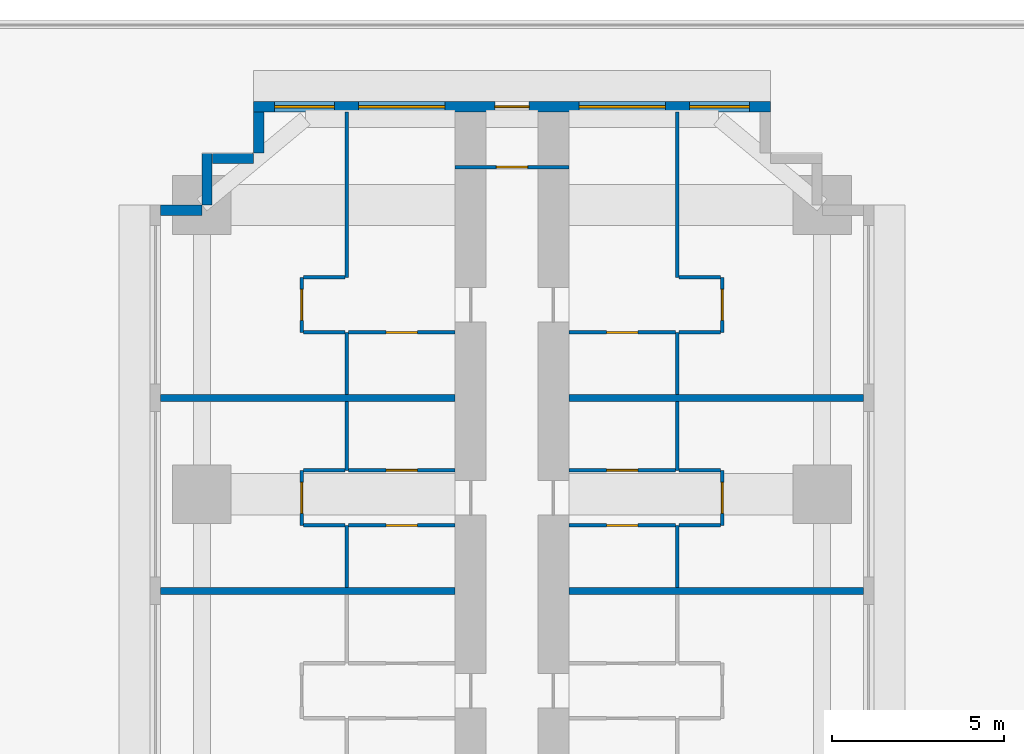
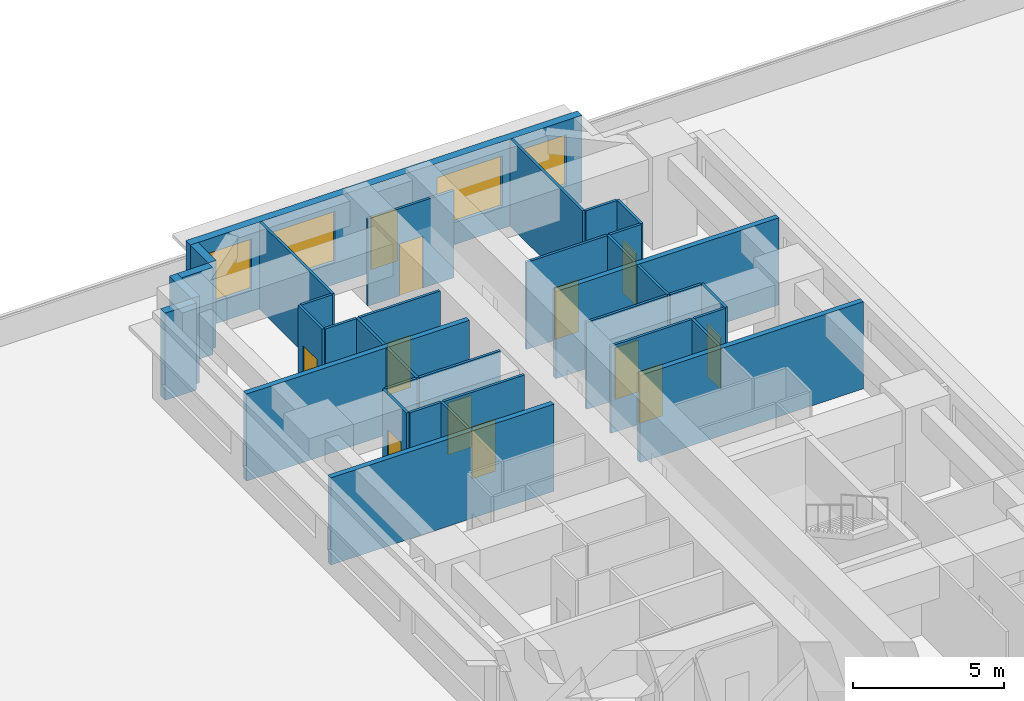
# One storey, part 14 of 18: 36 walls, 12 doors, 4 windows, 16 openings.
"""IFC4 building model written with IfcOpenShell, lengths in metres."""

from ifc_helpers import new_model, si_unit, direction, frame, frame_2d, origin, place, context, subcontext, project, spatial, rectangle, extrude, material, layer, layer_set, type_object, element, fill, save


model = new_model("IFC4")

# Units and contexts
model_context = context("Model", 3, precision=1e-05, world=origin(), true_north=direction((0.0, 1.0)))
body_context = subcontext(model_context, "Body", "Model", "MODEL_VIEW")
ifc_project = project(units=[si_unit("LENGTHUNIT", "METRE"), si_unit("AREAUNIT", "SQUARE_METRE"), si_unit("VOLUMEUNIT", "CUBIC_METRE"), si_unit("PLANEANGLEUNIT", "RADIAN"), si_unit("MASSUNIT", "GRAM", prefix="KILO")], contexts=[model_context])

# Site, building, storey
site_placement = place(None, origin())
site = spatial("IfcSite", under=ifc_project, at=site_placement, CompositionType="ELEMENT")
building_placement = place(site_placement, origin())
building = spatial("IfcBuilding", under=site, at=building_placement, Name="Impinga Residences", CompositionType="ELEMENT")
storey_placement = place(building_placement, frame((0.0, 0.0, 26.0)))
storey = spatial("IfcBuildingStorey", under=building, at=storey_placement, Name="L05", CompositionType="ELEMENT", Elevation=26.0)

# Wall, opening, door
ifc_material_1 = material(Name="Concrete blockwork", Category="masonry")
ifc_layer_1 = layer(ifc_material_1, 0.10009765625)
ifc_layer_set_1 = layer_set([ifc_layer_1], Name="CP1 core room partition, blockwork 100")
wall_type_1 = type_object("IfcWallType", Name="CP1 core room partition, blockwork 100", PredefinedType="PARTITIONING", material=ifc_layer_set_1)
wall_1_placement = place(storey_placement, frame((-1.64990234375, 46.131591796875, 0.0), z_axis=(0.0, 0.0, 1.0), x_axis=(1.0, 0.0, 0.0)))
wall_1 = element("IfcWall", 1, at=wall_1_placement, inside=storey, type_object=wall_type_1, Name="Core room partition, blockwork L05:N:RFA", PredefinedType="PARTITIONING", context=body_context, shape_type="SweptSolid", body=[
    extrude(rectangle(XDim=3.2998046875, YDim=0.10009765625, at=frame_2d((1.64990234375, 0.0))), origin(), (0.0, 0.0, 1.0), 3.530029296875),
])
opening_1_placement = place(wall_1_placement, frame((1.199951171875, 0.0, 0.0)))
opening_1 = element("IfcOpeningElement", 2, at=opening_1_placement, cuts=wall_1, Name="Opening D6", PredefinedType="OPENING", context=body_context, shape_type="SweptSolid", body=[
    extrude(rectangle(XDim=0.89990234375, YDim=2.10009765625, at=frame_2d((0.449951171875, 1.050048828125))), frame((0.0, 0.06005859375, 0.0), z_axis=(0.0, -1.0, 0.0), x_axis=(1.0, 0.0, 0.0)), (0.0, 0.0, 1.0), 0.1201171875),
])
ifc_material_2 = material(Name="Timber door set", Category="wood")
door_type_1 = type_object("IfcDoorType", Name="D6 riser and store door 900x2100", OperationType="SINGLE_SWING_LEFT", PredefinedType="DOOR", material=ifc_material_2)
door_1_placement = place(opening_1_placement, origin())
door_1 = element("IfcDoor", 3, at=door_1_placement, inside=storey, type_object=door_type_1, Name="Roof access room door N", OperationType="SINGLE_SWING_LEFT", OverallHeight=2.10009765625, OverallWidth=0.89990234375, PredefinedType="DOOR", context=body_context, shape_type="SweptSolid", body=[
    extrude(rectangle(XDim=0.89990234375, YDim=2.10009765625, at=frame_2d((0.449951171875, 1.050048828125))), frame((0.0, 0.02490234375, 0.0), z_axis=(0.0, -1.0, 0.0), x_axis=(1.0, 0.0, 0.0)), (0.0, 0.0, 1.0), 0.050048828125),
])
fill(opening_1, door_1)

# Walls
ifc_material_3 = material(Name="Terracotta rainscreen on blockwork", Category="masonry")
ifc_layer_2 = layer(ifc_material_3, 0.300048828125)
ifc_layer_set_2 = layer_set([ifc_layer_2], Name="EW1 external wall, terracotta rainscreen on blockwork 300")
wall_type_2 = type_object("IfcWallType", Name="EW1 external wall, terracotta rainscreen on blockwork 300", PredefinedType="SOLIDWALL", material=ifc_layer_set_2)
wall_2_placement = place(storey_placement, frame((-10.199951171875, 44.881591796875, 0.0), z_axis=(0.0, 0.0, 1.0), x_axis=(1.0, 0.0, 0.0)))
element("IfcWall", 4, at=wall_2_placement, inside=storey, type_object=wall_type_2, Name="External wall EW1 L05", PredefinedType="SOLIDWALL", context=body_context, shape_type="SweptSolid", body=[
    extrude(rectangle(XDim=1.199951171875, YDim=0.300048828125, at=frame_2d((0.60009765625, 0.0))), origin(), (0.0, 0.0, 1.0), 3.530029296875),
])
wall_3_placement = place(storey_placement, frame((-8.85009765625, 45.03662109375, 0.0), z_axis=(0.0, 0.0, 1.0), x_axis=(0.0, 1.0, 0.0)))
element("IfcWall", 5, at=wall_3_placement, inside=storey, type_object=wall_type_2, Name="External wall EW1 L05", PredefinedType="SOLIDWALL", context=body_context, shape_type="SweptSolid", body=[
    extrude(rectangle(XDim=1.494873046875, YDim=0.300048828125, at=frame_2d((0.74755859375, 0.0))), origin(), (0.0, 0.0, 1.0), 3.530029296875),
])
wall_4_placement = place(storey_placement, frame((-8.699951171875, 46.381591796875, 0.0), z_axis=(0.0, 0.0, 1.0), x_axis=(1.0, 0.0, 0.0)))
element("IfcWall", 6, at=wall_4_placement, inside=storey, type_object=wall_type_2, Name="External wall EW1 L05", PredefinedType="SOLIDWALL", context=body_context, shape_type="SweptSolid", body=[
    extrude(rectangle(XDim=1.199951171875, YDim=0.300048828125, at=frame_2d((0.60009765625, 0.0))), origin(), (0.0, 0.0, 1.0), 3.530029296875),
])
wall_5_placement = place(storey_placement, frame((-7.35009765625, 46.53662109375, 0.0), z_axis=(0.0, 0.0, 1.0), x_axis=(0.0, 1.0, 0.0)))
element("IfcWall", 7, at=wall_5_placement, inside=storey, type_object=wall_type_2, Name="External wall EW1 L05", PredefinedType="SOLIDWALL", context=body_context, shape_type="SweptSolid", body=[
    extrude(rectangle(XDim=1.19482421875, YDim=0.300048828125, at=frame_2d((0.597412109375, 0.0))), origin(), (0.0, 0.0, 1.0), 3.530029296875),
])

# Wall, openings, door, windows
wall_6_placement = place(storey_placement, frame((-7.5, 47.881591796875, 0.0), z_axis=(0.0, 0.0, 1.0), x_axis=(1.0, 0.0, 0.0)))
wall_6 = element("IfcWall", 8, at=wall_6_placement, inside=storey, type_object=wall_type_2, Name="External wall EW1 L05", PredefinedType="SOLIDWALL", context=body_context, shape_type="SweptSolid", body=[
    extrude(rectangle(XDim=15.0, YDim=0.300048828125, at=frame_2d((7.5, 0.0))), origin(), (0.0, 0.0, 1.0), 3.530029296875),
])
opening_2_placement = place(wall_6_placement, frame((7.0, 0.0, 0.0)))
opening_2 = element("IfcOpeningElement", 9, at=opening_2_placement, cuts=wall_6, Name="Opening RD1", PredefinedType="OPENING", context=body_context, shape_type="SweptSolid", body=[
    extrude(rectangle(XDim=1.0, YDim=2.10009765625, at=frame_2d((0.5, 1.050048828125))), frame((0.0, 0.159912109375, 0.0), z_axis=(0.0, -1.0, 0.0), x_axis=(1.0, 0.0, 0.0)), (0.0, 0.0, 1.0), 0.320068359375),
])
opening_3_placement = place(wall_6_placement, frame((0.60009765625, 0.0, 0.89990234375)))
opening_3 = element("IfcOpeningElement", 10, at=opening_3_placement, cuts=wall_6, Name="Opening W1", PredefinedType="OPENING", context=body_context, shape_type="SweptSolid", body=[
    extrude(rectangle(XDim=1.75, YDim=2.050048828125, at=frame_2d((0.875, 1.02490234375))), frame((0.0, 0.159912109375, 0.0), z_axis=(0.0, -1.0, 0.0), x_axis=(1.0, 0.0, 0.0)), (0.0, 0.0, 1.0), 0.320068359375),
])
opening_4_placement = place(wall_6_placement, frame((3.050048828125, 0.0, 0.89990234375)))
opening_4 = element("IfcOpeningElement", 11, at=opening_4_placement, cuts=wall_6, Name="Opening W2", PredefinedType="OPENING", context=body_context, shape_type="SweptSolid", body=[
    extrude(rectangle(XDim=2.5, YDim=2.050048828125, at=frame_2d((1.25, 1.02490234375))), frame((0.0, 0.159912109375, 0.0), z_axis=(0.0, -1.0, 0.0), x_axis=(1.0, 0.0, 0.0)), (0.0, 0.0, 1.0), 0.320068359375),
])
opening_5_placement = place(wall_6_placement, frame((9.449951171875, 0.0, 0.89990234375)))
opening_5 = element("IfcOpeningElement", 12, at=opening_5_placement, cuts=wall_6, Name="Opening W2", PredefinedType="OPENING", context=body_context, shape_type="SweptSolid", body=[
    extrude(rectangle(XDim=2.5, YDim=2.050048828125, at=frame_2d((1.25, 1.02490234375))), frame((0.0, 0.159912109375, 0.0), z_axis=(0.0, -1.0, 0.0), x_axis=(1.0, 0.0, 0.0)), (0.0, 0.0, 1.0), 0.320068359375),
])
opening_6_placement = place(wall_6_placement, frame((12.64990234375, 0.0, 0.89990234375)))
opening_6 = element("IfcOpeningElement", 13, at=opening_6_placement, cuts=wall_6, Name="Opening W1", PredefinedType="OPENING", context=body_context, shape_type="SweptSolid", body=[
    extrude(rectangle(XDim=1.75, YDim=2.050048828125, at=frame_2d((0.875, 1.02490234375))), frame((0.0, 0.159912109375, 0.0), z_axis=(0.0, -1.0, 0.0), x_axis=(1.0, 0.0, 0.0)), (0.0, 0.0, 1.0), 0.320068359375),
])
ifc_material_4 = material(Name="Steel door, painted", Category="steel")
door_type_2 = type_object("IfcDoorType", Name="RD1 maintenance roof access door 1000x2100", OperationType="SINGLE_SWING_LEFT", PredefinedType="DOOR", material=ifc_material_4)
door_2_placement = place(opening_2_placement, origin())
door_2 = element("IfcDoor", 14, at=door_2_placement, inside=storey, type_object=door_type_2, Name="Maintenance roof access door L05", OperationType="SINGLE_SWING_LEFT", OverallHeight=2.10009765625, OverallWidth=1.0, PredefinedType="DOOR", context=body_context, shape_type="SweptSolid", body=[
    extrude(rectangle(XDim=1.0, YDim=2.10009765625, at=frame_2d((0.5, 1.050048828125))), frame((0.0, 0.02490234375, 0.0), z_axis=(0.0, -1.0, 0.0), x_axis=(1.0, 0.0, 0.0)), (0.0, 0.0, 1.0), 0.050048828125),
])
fill(opening_2, door_2)
ifc_material_5 = material(Name="Aluminium window, clear double glazing", Category="aluminium")
window_type_1 = type_object("IfcWindowType", Name="W1 ribbon window 1750x2050", PartitioningType="SINGLE_PANEL", PredefinedType="WINDOW", material=ifc_material_5)
window_1_placement = place(opening_3_placement, origin())
window_1 = element("IfcWindow", 15, at=window_1_placement, inside=storey, type_object=window_type_1, Name="Window L05", OverallHeight=2.050048828125, OverallWidth=1.75, PartitioningType="SINGLE_PANEL", PredefinedType="WINDOW", context=body_context, shape_type="SweptSolid", body=[
    extrude(rectangle(XDim=1.75, YDim=2.050048828125, at=frame_2d((0.875, 1.02490234375))), frame((0.0, 0.030029296875, 0.0), z_axis=(0.0, -1.0, 0.0), x_axis=(1.0, 0.0, 0.0)), (0.0, 0.0, 1.0), 0.06005859375),
])
fill(opening_3, window_1)
window_2_placement = place(opening_6_placement, origin())
window_2 = element("IfcWindow", 16, at=window_2_placement, inside=storey, type_object=window_type_1, Name="Window L05", OverallHeight=2.050048828125, OverallWidth=1.75, PartitioningType="SINGLE_PANEL", PredefinedType="WINDOW", context=body_context, shape_type="SweptSolid", body=[
    extrude(rectangle(XDim=1.75, YDim=2.050048828125, at=frame_2d((0.875, 1.02490234375))), frame((0.0, 0.030029296875, 0.0), z_axis=(0.0, -1.0, 0.0), x_axis=(1.0, 0.0, 0.0)), (0.0, 0.0, 1.0), 0.06005859375),
])
fill(opening_6, window_2)
window_type_2 = type_object("IfcWindowType", Name="W2 ribbon window 2500x2050", PartitioningType="SINGLE_PANEL", PredefinedType="WINDOW", material=ifc_material_5)
window_3_placement = place(opening_4_placement, origin())
window_3 = element("IfcWindow", 17, at=window_3_placement, inside=storey, type_object=window_type_2, Name="Window L05", OverallHeight=2.050048828125, OverallWidth=2.5, PartitioningType="SINGLE_PANEL", PredefinedType="WINDOW", context=body_context, shape_type="SweptSolid", body=[
    extrude(rectangle(XDim=2.5, YDim=2.050048828125, at=frame_2d((1.25, 1.02490234375))), frame((0.0, 0.030029296875, 0.0), z_axis=(0.0, -1.0, 0.0), x_axis=(1.0, 0.0, 0.0)), (0.0, 0.0, 1.0), 0.06005859375),
])
fill(opening_4, window_3)
window_4_placement = place(opening_5_placement, origin())
window_4 = element("IfcWindow", 18, at=window_4_placement, inside=storey, type_object=window_type_2, Name="Window L05", OverallHeight=2.050048828125, OverallWidth=2.5, PartitioningType="SINGLE_PANEL", PredefinedType="WINDOW", context=body_context, shape_type="SweptSolid", body=[
    extrude(rectangle(XDim=2.5, YDim=2.050048828125, at=frame_2d((1.25, 1.02490234375))), frame((0.0, 0.030029296875, 0.0), z_axis=(0.0, -1.0, 0.0), x_axis=(1.0, 0.0, 0.0)), (0.0, 0.0, 1.0), 0.06005859375),
])
fill(opening_5, window_4)

# Walls
ifc_material_6 = material(Name="Gypsum board on steel studs", Category="steel")
ifc_layer_3 = layer(ifc_material_6, 0.10009765625)
ifc_layer_set_3 = layer_set([ifc_layer_3], Name="Gypsum board on steel studs")
wall_type_3 = type_object("IfcWallType", Name="IP1 partition 100", PredefinedType="PARTITIONING", material=ifc_layer_set_3)
wall_7_placement = place(storey_placement, frame((-4.800048828125, 33.931640625, 0.0), z_axis=(0.0, 0.0, 1.0), x_axis=(0.0, 1.0, 0.0)))
element("IfcWall", 19, at=wall_7_placement, inside=storey, type_object=wall_type_3, Name="Partition L05-NA5:DIV0", PredefinedType="PARTITIONING", context=body_context, shape_type="SweptSolid", body=[
    extrude(rectangle(XDim=1.7998046875, YDim=0.10009765625, at=frame_2d((0.89990234375, 0.0))), origin(), (0.0, 0.0, 1.0), 3.530029296875),
])
wall_8_placement = place(storey_placement, frame((-4.800048828125, 37.33154296875, 0.0), z_axis=(0.0, 0.0, 1.0), x_axis=(0.0, 1.0, 0.0)))
element("IfcWall", 20, at=wall_8_placement, inside=storey, type_object=wall_type_3, Name="Partition L05-NA5:DIV1", PredefinedType="PARTITIONING", context=body_context, shape_type="SweptSolid", body=[
    extrude(rectangle(XDim=2.0, YDim=0.10009765625, at=frame_2d((1.0, 0.0))), origin(), (0.0, 0.0, 1.0), 3.530029296875),
])

# Wall, opening, door
wall_9_placement = place(storey_placement, frame((-6.10009765625, 35.7314453125, 0.0), z_axis=(0.0, 0.0, 1.0), x_axis=(0.0, 1.0, 0.0)))
wall_9 = element("IfcWall", 21, at=wall_9_placement, inside=storey, type_object=wall_type_3, Name="Partition L05-NA5:STRIP", PredefinedType="PARTITIONING", context=body_context, shape_type="SweptSolid", body=[
    extrude(rectangle(XDim=1.60009765625, YDim=0.10009765625, at=frame_2d((0.800048828125, 0.0))), origin(), (0.0, 0.0, 1.0), 3.530029296875),
])
opening_7_placement = place(wall_9_placement, frame((0.35009765625, 0.0, 0.0)))
opening_7 = element("IfcOpeningElement", 22, at=opening_7_placement, cuts=wall_9, Name="Opening D2", PredefinedType="OPENING", context=body_context, shape_type="SweptSolid", body=[
    extrude(rectangle(XDim=0.89990234375, YDim=2.10009765625, at=frame_2d((0.449951171875, 1.050048828125))), frame((0.0, 0.06005859375, 0.0), z_axis=(0.0, -1.0, 0.0), x_axis=(1.0, 0.0, 0.0)), (0.0, 0.0, 1.0), 0.1201171875),
])
door_type_3 = type_object("IfcDoorType", Name="D2 internal door 900x2100", OperationType="SINGLE_SWING_LEFT", PredefinedType="DOOR", material=ifc_material_2)
door_3_placement = place(opening_7_placement, origin())
door_3 = element("IfcDoor", 23, at=door_3_placement, inside=storey, type_object=door_type_3, Name="Apartment L05-NA5 room door", OperationType="SINGLE_SWING_LEFT", OverallHeight=2.10009765625, OverallWidth=0.89990234375, PredefinedType="DOOR", context=body_context, shape_type="SweptSolid", body=[
    extrude(rectangle(XDim=0.89990234375, YDim=2.10009765625, at=frame_2d((0.449951171875, 1.050048828125))), frame((0.0, 0.02490234375, 0.0), z_axis=(0.0, -1.0, 0.0), x_axis=(1.0, 0.0, 0.0)), (0.0, 0.0, 1.0), 0.050048828125),
])
fill(opening_7, door_3)

# Walls
for number, where, z_axis, x_axis, name in (
    (24, (-4.85009765625, 35.7314453125, 0.0), (0.0, 0.0, 1.0), (-1.0, 0.0, 0.0), "Partition L05-NA5:SE0"),
    (25, (-4.85009765625, 37.33154296875, 0.0), (0.0, 0.0, 1.0), (-1.0, 0.0, 0.0), "Partition L05-NA5:SE1"),
):
    element("IfcWall", number, at=place(storey_placement, frame(where, z_axis=z_axis, x_axis=x_axis)), inside=storey, type_object=wall_type_3, Name=name, PredefinedType="PARTITIONING", context=body_context, shape_type="SweptSolid", body=[
        extrude(rectangle(XDim=1.199951171875, YDim=0.10009765625, at=frame_2d((0.60009765625, 0.0))), origin(), (0.0, 0.0, 1.0), 3.530029296875),
    ])

# Wall, opening, door
wall_10_placement = place(storey_placement, frame((-1.64990234375, 35.7314453125, 0.0), z_axis=(0.0, 0.0, 1.0), x_axis=(-1.0, 0.0, 0.0)))
wall_10 = element("IfcWall", 26, at=wall_10_placement, inside=storey, type_object=wall_type_3, Name="Partition L05-NA5:IB1", PredefinedType="PARTITIONING", context=body_context, shape_type="SweptSolid", body=[
    extrude(rectangle(XDim=3.10009765625, YDim=0.10009765625, at=frame_2d((1.550048828125, 0.0))), origin(), (0.0, 0.0, 1.0), 3.530029296875),
])
opening_8_placement = place(wall_10_placement, frame((1.10009765625, 0.0, 0.0)))
opening_8 = element("IfcOpeningElement", 27, at=opening_8_placement, cuts=wall_10, Name="Opening D2", PredefinedType="OPENING", context=body_context, shape_type="SweptSolid", body=[
    extrude(rectangle(XDim=0.89990234375, YDim=2.10009765625, at=frame_2d((0.449951171875, 1.050048828125))), frame((0.0, 0.06005859375, 0.0), z_axis=(0.0, -1.0, 0.0), x_axis=(1.0, 0.0, 0.0)), (0.0, 0.0, 1.0), 0.1201171875),
])
door_4_placement = place(opening_8_placement, origin())
door_4 = element("IfcDoor", 28, at=door_4_placement, inside=storey, type_object=door_type_3, Name="Apartment L05-NA5 bathroom door", OperationType="SINGLE_SWING_LEFT", OverallHeight=2.10009765625, OverallWidth=0.89990234375, PredefinedType="DOOR", context=body_context, shape_type="SweptSolid", body=[
    extrude(rectangle(XDim=0.89990234375, YDim=2.10009765625, at=frame_2d((0.449951171875, 1.050048828125))), frame((0.0, 0.02490234375, 0.0), z_axis=(0.0, -1.0, 0.0), x_axis=(1.0, 0.0, 0.0)), (0.0, 0.0, 1.0), 0.050048828125),
])
fill(opening_8, door_4)

wall_11_placement = place(storey_placement, frame((-1.64990234375, 37.33154296875, 0.0), z_axis=(0.0, 0.0, 1.0), x_axis=(-1.0, 0.0, 0.0)))
wall_11 = element("IfcWall", 29, at=wall_11_placement, inside=storey, type_object=wall_type_3, Name="Partition L05-NA5:IB2", PredefinedType="PARTITIONING", context=body_context, shape_type="SweptSolid", body=[
    extrude(rectangle(XDim=3.10009765625, YDim=0.10009765625, at=frame_2d((1.550048828125, 0.0))), origin(), (0.0, 0.0, 1.0), 3.530029296875),
])
opening_9_placement = place(wall_11_placement, frame((1.10009765625, 0.0, 0.0)))
opening_9 = element("IfcOpeningElement", 30, at=opening_9_placement, cuts=wall_11, Name="Opening D2", PredefinedType="OPENING", context=body_context, shape_type="SweptSolid", body=[
    extrude(rectangle(XDim=0.89990234375, YDim=2.10009765625, at=frame_2d((0.449951171875, 1.050048828125))), frame((0.0, 0.06005859375, 0.0), z_axis=(0.0, -1.0, 0.0), x_axis=(1.0, 0.0, 0.0)), (0.0, 0.0, 1.0), 0.1201171875),
])
door_5_placement = place(opening_9_placement, origin())
door_5 = element("IfcDoor", 31, at=door_5_placement, inside=storey, type_object=door_type_3, Name="Apartment L05-NA5 WC door", OperationType="SINGLE_SWING_LEFT", OverallHeight=2.10009765625, OverallWidth=0.89990234375, PredefinedType="DOOR", context=body_context, shape_type="SweptSolid", body=[
    extrude(rectangle(XDim=0.89990234375, YDim=2.10009765625, at=frame_2d((0.449951171875, 1.050048828125))), frame((0.0, 0.02490234375, 0.0), z_axis=(0.0, -1.0, 0.0), x_axis=(1.0, 0.0, 0.0)), (0.0, 0.0, 1.0), 0.050048828125),
])
fill(opening_9, door_5)

# Walls
wall_12_placement = place(storey_placement, frame((-4.800048828125, 39.531494140625, 0.0), z_axis=(0.0, 0.0, 1.0), x_axis=(0.0, 1.0, 0.0)))
element("IfcWall", 32, at=wall_12_placement, inside=storey, type_object=wall_type_3, Name="Partition L05-NA6:DIV0", PredefinedType="PARTITIONING", context=body_context, shape_type="SweptSolid", body=[
    extrude(rectangle(XDim=1.800048828125, YDim=0.10009765625, at=frame_2d((0.89990234375, 0.0))), origin(), (0.0, 0.0, 1.0), 3.530029296875),
])
wall_13_placement = place(storey_placement, frame((-4.800048828125, 42.931640625, 0.0), z_axis=(0.0, 0.0, 1.0), x_axis=(0.0, 1.0, 0.0)))
element("IfcWall", 33, at=wall_13_placement, inside=storey, type_object=wall_type_3, Name="Partition L05-NA6:DIV1", PredefinedType="PARTITIONING", context=body_context, shape_type="SweptSolid", body=[
    extrude(rectangle(XDim=4.7998046875, YDim=0.10009765625, at=frame_2d((2.39990234375, 0.0))), origin(), (0.0, 0.0, 1.0), 3.530029296875),
])

# Wall, opening, door
wall_14_placement = place(storey_placement, frame((-6.10009765625, 41.33154296875, 0.0), z_axis=(0.0, 0.0, 1.0), x_axis=(0.0, 1.0, 0.0)))
wall_14 = element("IfcWall", 34, at=wall_14_placement, inside=storey, type_object=wall_type_3, Name="Partition L05-NA6:STRIP", PredefinedType="PARTITIONING", context=body_context, shape_type="SweptSolid", body=[
    extrude(rectangle(XDim=1.60009765625, YDim=0.10009765625, at=frame_2d((0.800048828125, 0.0))), origin(), (0.0, 0.0, 1.0), 3.530029296875),
])
opening_10_placement = place(wall_14_placement, frame((0.35009765625, 0.0, 0.0)))
opening_10 = element("IfcOpeningElement", 35, at=opening_10_placement, cuts=wall_14, Name="Opening D2", PredefinedType="OPENING", context=body_context, shape_type="SweptSolid", body=[
    extrude(rectangle(XDim=0.89990234375, YDim=2.10009765625, at=frame_2d((0.449951171875, 1.050048828125))), frame((0.0, 0.06005859375, 0.0), z_axis=(0.0, -1.0, 0.0), x_axis=(1.0, 0.0, 0.0)), (0.0, 0.0, 1.0), 0.1201171875),
])
door_6_placement = place(opening_10_placement, origin())
door_6 = element("IfcDoor", 36, at=door_6_placement, inside=storey, type_object=door_type_3, Name="Apartment L05-NA6 room door", OperationType="SINGLE_SWING_LEFT", OverallHeight=2.10009765625, OverallWidth=0.89990234375, PredefinedType="DOOR", context=body_context, shape_type="SweptSolid", body=[
    extrude(rectangle(XDim=0.89990234375, YDim=2.10009765625, at=frame_2d((0.449951171875, 1.050048828125))), frame((0.0, 0.02490234375, 0.0), z_axis=(0.0, -1.0, 0.0), x_axis=(1.0, 0.0, 0.0)), (0.0, 0.0, 1.0), 0.050048828125),
])
fill(opening_10, door_6)

# Walls
for number, where, z_axis, x_axis, name in (
    (37, (-4.85009765625, 41.33154296875, 0.0), (0.0, 0.0, 1.0), (-1.0, 0.0, 0.0), "Partition L05-NA6:SE0"),
    (38, (-4.85009765625, 42.931640625, 0.0), (0.0, 0.0, 1.0), (-1.0, 0.0, 0.0), "Partition L05-NA6:SE1"),
):
    element("IfcWall", number, at=place(storey_placement, frame(where, z_axis=z_axis, x_axis=x_axis)), inside=storey, type_object=wall_type_3, Name=name, PredefinedType="PARTITIONING", context=body_context, shape_type="SweptSolid", body=[
        extrude(rectangle(XDim=1.199951171875, YDim=0.10009765625, at=frame_2d((0.60009765625, 0.0))), origin(), (0.0, 0.0, 1.0), 3.530029296875),
    ])

# Wall, opening, door
wall_15_placement = place(storey_placement, frame((-1.64990234375, 41.33154296875, 0.0), z_axis=(0.0, 0.0, 1.0), x_axis=(-1.0, 0.0, 0.0)))
wall_15 = element("IfcWall", 39, at=wall_15_placement, inside=storey, type_object=wall_type_3, Name="Partition L05-NA6:IB1", PredefinedType="PARTITIONING", context=body_context, shape_type="SweptSolid", body=[
    extrude(rectangle(XDim=3.10009765625, YDim=0.10009765625, at=frame_2d((1.550048828125, 0.0))), origin(), (0.0, 0.0, 1.0), 3.530029296875),
])
opening_11_placement = place(wall_15_placement, frame((1.10009765625, 0.0, 0.0)))
opening_11 = element("IfcOpeningElement", 40, at=opening_11_placement, cuts=wall_15, Name="Opening D2", PredefinedType="OPENING", context=body_context, shape_type="SweptSolid", body=[
    extrude(rectangle(XDim=0.89990234375, YDim=2.10009765625, at=frame_2d((0.449951171875, 1.050048828125))), frame((0.0, 0.06005859375, 0.0), z_axis=(0.0, -1.0, 0.0), x_axis=(1.0, 0.0, 0.0)), (0.0, 0.0, 1.0), 0.1201171875),
])
door_7_placement = place(opening_11_placement, origin())
door_7 = element("IfcDoor", 41, at=door_7_placement, inside=storey, type_object=door_type_3, Name="Apartment L05-NA6 bathroom door", OperationType="SINGLE_SWING_LEFT", OverallHeight=2.10009765625, OverallWidth=0.89990234375, PredefinedType="DOOR", context=body_context, shape_type="SweptSolid", body=[
    extrude(rectangle(XDim=0.89990234375, YDim=2.10009765625, at=frame_2d((0.449951171875, 1.050048828125))), frame((0.0, 0.02490234375, 0.0), z_axis=(0.0, -1.0, 0.0), x_axis=(1.0, 0.0, 0.0)), (0.0, 0.0, 1.0), 0.050048828125),
])
fill(opening_11, door_7)

# Walls
wall_16_placement = place(storey_placement, frame((4.800048828125, 33.931640625, 0.0), z_axis=(0.0, 0.0, 1.0), x_axis=(0.0, 1.0, 0.0)))
element("IfcWall", 42, at=wall_16_placement, inside=storey, type_object=wall_type_3, Name="Partition L05-NF3:DIV0", PredefinedType="PARTITIONING", context=body_context, shape_type="SweptSolid", body=[
    extrude(rectangle(XDim=1.7998046875, YDim=0.10009765625, at=frame_2d((0.89990234375, 0.0))), origin(), (0.0, 0.0, 1.0), 3.530029296875),
])
wall_17_placement = place(storey_placement, frame((4.800048828125, 37.33154296875, 0.0), z_axis=(0.0, 0.0, 1.0), x_axis=(0.0, 1.0, 0.0)))
element("IfcWall", 43, at=wall_17_placement, inside=storey, type_object=wall_type_3, Name="Partition L05-NF3:DIV1", PredefinedType="PARTITIONING", context=body_context, shape_type="SweptSolid", body=[
    extrude(rectangle(XDim=2.0, YDim=0.10009765625, at=frame_2d((1.0, 0.0))), origin(), (0.0, 0.0, 1.0), 3.530029296875),
])

# Wall, opening, door
wall_18_placement = place(storey_placement, frame((6.10009765625, 35.7314453125, 0.0), z_axis=(0.0, 0.0, 1.0), x_axis=(0.0, 1.0, 0.0)))
wall_18 = element("IfcWall", 44, at=wall_18_placement, inside=storey, type_object=wall_type_3, Name="Partition L05-NF3:STRIP", PredefinedType="PARTITIONING", context=body_context, shape_type="SweptSolid", body=[
    extrude(rectangle(XDim=1.60009765625, YDim=0.10009765625, at=frame_2d((0.800048828125, 0.0))), origin(), (0.0, 0.0, 1.0), 3.530029296875),
])
opening_12_placement = place(wall_18_placement, frame((0.35009765625, 0.0, 0.0)))
opening_12 = element("IfcOpeningElement", 45, at=opening_12_placement, cuts=wall_18, Name="Opening D2", PredefinedType="OPENING", context=body_context, shape_type="SweptSolid", body=[
    extrude(rectangle(XDim=0.89990234375, YDim=2.10009765625, at=frame_2d((0.449951171875, 1.050048828125))), frame((0.0, 0.06005859375, 0.0), z_axis=(0.0, -1.0, 0.0), x_axis=(1.0, 0.0, 0.0)), (0.0, 0.0, 1.0), 0.1201171875),
])
door_8_placement = place(opening_12_placement, origin())
door_8 = element("IfcDoor", 46, at=door_8_placement, inside=storey, type_object=door_type_3, Name="Apartment L05-NF3 room door", OperationType="SINGLE_SWING_LEFT", OverallHeight=2.10009765625, OverallWidth=0.89990234375, PredefinedType="DOOR", context=body_context, shape_type="SweptSolid", body=[
    extrude(rectangle(XDim=0.89990234375, YDim=2.10009765625, at=frame_2d((0.449951171875, 1.050048828125))), frame((0.0, 0.02490234375, 0.0), z_axis=(0.0, -1.0, 0.0), x_axis=(1.0, 0.0, 0.0)), (0.0, 0.0, 1.0), 0.050048828125),
])
fill(opening_12, door_8)

# Walls
for number, where, z_axis, x_axis, name in (
    (47, (4.85009765625, 35.7314453125, 0.0), (0.0, 0.0, 1.0), (1.0, 0.0, 0.0), "Partition L05-NF3:SE0"),
    (48, (4.85009765625, 37.33154296875, 0.0), (0.0, 0.0, 1.0), (1.0, 0.0, 0.0), "Partition L05-NF3:SE1"),
):
    element("IfcWall", number, at=place(storey_placement, frame(where, z_axis=z_axis, x_axis=x_axis)), inside=storey, type_object=wall_type_3, Name=name, PredefinedType="PARTITIONING", context=body_context, shape_type="SweptSolid", body=[
        extrude(rectangle(XDim=1.199951171875, YDim=0.10009765625, at=frame_2d((0.60009765625, 0.0))), origin(), (0.0, 0.0, 1.0), 3.530029296875),
    ])

# Wall, opening, door
wall_19_placement = place(storey_placement, frame((1.64990234375, 35.7314453125, 0.0), z_axis=(0.0, 0.0, 1.0), x_axis=(1.0, 0.0, 0.0)))
wall_19 = element("IfcWall", 49, at=wall_19_placement, inside=storey, type_object=wall_type_3, Name="Partition L05-NF3:IB1", PredefinedType="PARTITIONING", context=body_context, shape_type="SweptSolid", body=[
    extrude(rectangle(XDim=3.10009765625, YDim=0.10009765625, at=frame_2d((1.550048828125, 0.0))), origin(), (0.0, 0.0, 1.0), 3.530029296875),
])
opening_13_placement = place(wall_19_placement, frame((1.10009765625, 0.0, 0.0)))
opening_13 = element("IfcOpeningElement", 50, at=opening_13_placement, cuts=wall_19, Name="Opening D2", PredefinedType="OPENING", context=body_context, shape_type="SweptSolid", body=[
    extrude(rectangle(XDim=0.89990234375, YDim=2.10009765625, at=frame_2d((0.449951171875, 1.050048828125))), frame((0.0, 0.06005859375, 0.0), z_axis=(0.0, -1.0, 0.0), x_axis=(1.0, 0.0, 0.0)), (0.0, 0.0, 1.0), 0.1201171875),
])
door_9_placement = place(opening_13_placement, origin())
door_9 = element("IfcDoor", 51, at=door_9_placement, inside=storey, type_object=door_type_3, Name="Apartment L05-NF3 bathroom door", OperationType="SINGLE_SWING_LEFT", OverallHeight=2.10009765625, OverallWidth=0.89990234375, PredefinedType="DOOR", context=body_context, shape_type="SweptSolid", body=[
    extrude(rectangle(XDim=0.89990234375, YDim=2.10009765625, at=frame_2d((0.449951171875, 1.050048828125))), frame((0.0, 0.02490234375, 0.0), z_axis=(0.0, -1.0, 0.0), x_axis=(1.0, 0.0, 0.0)), (0.0, 0.0, 1.0), 0.050048828125),
])
fill(opening_13, door_9)

wall_20_placement = place(storey_placement, frame((1.64990234375, 37.33154296875, 0.0), z_axis=(0.0, 0.0, 1.0), x_axis=(1.0, 0.0, 0.0)))
wall_20 = element("IfcWall", 52, at=wall_20_placement, inside=storey, type_object=wall_type_3, Name="Partition L05-NF3:IB2", PredefinedType="PARTITIONING", context=body_context, shape_type="SweptSolid", body=[
    extrude(rectangle(XDim=3.10009765625, YDim=0.10009765625, at=frame_2d((1.550048828125, 0.0))), origin(), (0.0, 0.0, 1.0), 3.530029296875),
])
opening_14_placement = place(wall_20_placement, frame((1.10009765625, 0.0, 0.0)))
opening_14 = element("IfcOpeningElement", 53, at=opening_14_placement, cuts=wall_20, Name="Opening D2", PredefinedType="OPENING", context=body_context, shape_type="SweptSolid", body=[
    extrude(rectangle(XDim=0.89990234375, YDim=2.10009765625, at=frame_2d((0.449951171875, 1.050048828125))), frame((0.0, 0.06005859375, 0.0), z_axis=(0.0, -1.0, 0.0), x_axis=(1.0, 0.0, 0.0)), (0.0, 0.0, 1.0), 0.1201171875),
])
door_10_placement = place(opening_14_placement, origin())
door_10 = element("IfcDoor", 54, at=door_10_placement, inside=storey, type_object=door_type_3, Name="Apartment L05-NF3 WC door", OperationType="SINGLE_SWING_LEFT", OverallHeight=2.10009765625, OverallWidth=0.89990234375, PredefinedType="DOOR", context=body_context, shape_type="SweptSolid", body=[
    extrude(rectangle(XDim=0.89990234375, YDim=2.10009765625, at=frame_2d((0.449951171875, 1.050048828125))), frame((0.0, 0.02490234375, 0.0), z_axis=(0.0, -1.0, 0.0), x_axis=(1.0, 0.0, 0.0)), (0.0, 0.0, 1.0), 0.050048828125),
])
fill(opening_14, door_10)

# Walls
wall_21_placement = place(storey_placement, frame((4.800048828125, 39.531494140625, 0.0), z_axis=(0.0, 0.0, 1.0), x_axis=(0.0, 1.0, 0.0)))
element("IfcWall", 55, at=wall_21_placement, inside=storey, type_object=wall_type_3, Name="Partition L05-NF4:DIV0", PredefinedType="PARTITIONING", context=body_context, shape_type="SweptSolid", body=[
    extrude(rectangle(XDim=1.800048828125, YDim=0.10009765625, at=frame_2d((0.89990234375, 0.0))), origin(), (0.0, 0.0, 1.0), 3.530029296875),
])
wall_22_placement = place(storey_placement, frame((4.800048828125, 42.931640625, 0.0), z_axis=(0.0, 0.0, 1.0), x_axis=(0.0, 1.0, 0.0)))
element("IfcWall", 56, at=wall_22_placement, inside=storey, type_object=wall_type_3, Name="Partition L05-NF4:DIV1", PredefinedType="PARTITIONING", context=body_context, shape_type="SweptSolid", body=[
    extrude(rectangle(XDim=4.7998046875, YDim=0.10009765625, at=frame_2d((2.39990234375, 0.0))), origin(), (0.0, 0.0, 1.0), 3.530029296875),
])

# Wall, opening, door
wall_23_placement = place(storey_placement, frame((6.10009765625, 41.33154296875, 0.0), z_axis=(0.0, 0.0, 1.0), x_axis=(0.0, 1.0, 0.0)))
wall_23 = element("IfcWall", 57, at=wall_23_placement, inside=storey, type_object=wall_type_3, Name="Partition L05-NF4:STRIP", PredefinedType="PARTITIONING", context=body_context, shape_type="SweptSolid", body=[
    extrude(rectangle(XDim=1.60009765625, YDim=0.10009765625, at=frame_2d((0.800048828125, 0.0))), origin(), (0.0, 0.0, 1.0), 3.530029296875),
])
opening_15_placement = place(wall_23_placement, frame((0.35009765625, 0.0, 0.0)))
opening_15 = element("IfcOpeningElement", 58, at=opening_15_placement, cuts=wall_23, Name="Opening D2", PredefinedType="OPENING", context=body_context, shape_type="SweptSolid", body=[
    extrude(rectangle(XDim=0.89990234375, YDim=2.10009765625, at=frame_2d((0.449951171875, 1.050048828125))), frame((0.0, 0.06005859375, 0.0), z_axis=(0.0, -1.0, 0.0), x_axis=(1.0, 0.0, 0.0)), (0.0, 0.0, 1.0), 0.1201171875),
])
door_11_placement = place(opening_15_placement, origin())
door_11 = element("IfcDoor", 59, at=door_11_placement, inside=storey, type_object=door_type_3, Name="Apartment L05-NF4 room door", OperationType="SINGLE_SWING_LEFT", OverallHeight=2.10009765625, OverallWidth=0.89990234375, PredefinedType="DOOR", context=body_context, shape_type="SweptSolid", body=[
    extrude(rectangle(XDim=0.89990234375, YDim=2.10009765625, at=frame_2d((0.449951171875, 1.050048828125))), frame((0.0, 0.02490234375, 0.0), z_axis=(0.0, -1.0, 0.0), x_axis=(1.0, 0.0, 0.0)), (0.0, 0.0, 1.0), 0.050048828125),
])
fill(opening_15, door_11)

# Walls
for number, where, z_axis, x_axis, name in (
    (60, (4.85009765625, 41.33154296875, 0.0), (0.0, 0.0, 1.0), (1.0, 0.0, 0.0), "Partition L05-NF4:SE0"),
    (61, (4.85009765625, 42.931640625, 0.0), (0.0, 0.0, 1.0), (1.0, 0.0, 0.0), "Partition L05-NF4:SE1"),
):
    element("IfcWall", number, at=place(storey_placement, frame(where, z_axis=z_axis, x_axis=x_axis)), inside=storey, type_object=wall_type_3, Name=name, PredefinedType="PARTITIONING", context=body_context, shape_type="SweptSolid", body=[
        extrude(rectangle(XDim=1.199951171875, YDim=0.10009765625, at=frame_2d((0.60009765625, 0.0))), origin(), (0.0, 0.0, 1.0), 3.530029296875),
    ])

# Wall, opening, door
wall_24_placement = place(storey_placement, frame((1.64990234375, 41.33154296875, 0.0), z_axis=(0.0, 0.0, 1.0), x_axis=(1.0, 0.0, 0.0)))
wall_24 = element("IfcWall", 62, at=wall_24_placement, inside=storey, type_object=wall_type_3, Name="Partition L05-NF4:IB1", PredefinedType="PARTITIONING", context=body_context, shape_type="SweptSolid", body=[
    extrude(rectangle(XDim=3.10009765625, YDim=0.10009765625, at=frame_2d((1.550048828125, 0.0))), origin(), (0.0, 0.0, 1.0), 3.530029296875),
])
opening_16_placement = place(wall_24_placement, frame((1.10009765625, 0.0, 0.0)))
opening_16 = element("IfcOpeningElement", 63, at=opening_16_placement, cuts=wall_24, Name="Opening D2", PredefinedType="OPENING", context=body_context, shape_type="SweptSolid", body=[
    extrude(rectangle(XDim=0.89990234375, YDim=2.10009765625, at=frame_2d((0.449951171875, 1.050048828125))), frame((0.0, 0.06005859375, 0.0), z_axis=(0.0, -1.0, 0.0), x_axis=(1.0, 0.0, 0.0)), (0.0, 0.0, 1.0), 0.1201171875),
])
door_12_placement = place(opening_16_placement, origin())
door_12 = element("IfcDoor", 64, at=door_12_placement, inside=storey, type_object=door_type_3, Name="Apartment L05-NF4 bathroom door", OperationType="SINGLE_SWING_LEFT", OverallHeight=2.10009765625, OverallWidth=0.89990234375, PredefinedType="DOOR", context=body_context, shape_type="SweptSolid", body=[
    extrude(rectangle(XDim=0.89990234375, YDim=2.10009765625, at=frame_2d((0.449951171875, 1.050048828125))), frame((0.0, 0.02490234375, 0.0), z_axis=(0.0, -1.0, 0.0), x_axis=(1.0, 0.0, 0.0)), (0.0, 0.0, 1.0), 0.050048828125),
])
fill(opening_16, door_12)

# Walls
ifc_layer_4 = layer(ifc_material_1, 0.199951171875)
ifc_layer_set_4 = layer_set([ifc_layer_4], Name="PW1 party wall between apartments 200")
wall_type_4 = type_object("IfcWallType", Name="PW1 party wall between apartments 200", PredefinedType="SOLIDWALL", material=ifc_layer_set_4)
for number, where, z_axis, x_axis, name in (
    (65, (-1.64990234375, 33.83154296875, 0.0), (0.0, 0.0, 1.0), (-1.0, 0.0, 0.0), "Party wall between apartments L05-NA4:PARTY"),
    (66, (-1.64990234375, 39.431640625, 0.0), (0.0, 0.0, 1.0), (-1.0, 0.0, 0.0), "Party wall between apartments L05-NA5:PARTY"),
    (67, (1.64990234375, 33.83154296875, 0.0), (0.0, 0.0, 1.0), (1.0, 0.0, 0.0), "Party wall between apartments L05-NF2:PARTY"),
    (68, (1.64990234375, 39.431640625, 0.0), (0.0, 0.0, 1.0), (1.0, 0.0, 0.0), "Party wall between apartments L05-NF3:PARTY"),
):
    element("IfcWall", number, at=place(storey_placement, frame(where, z_axis=z_axis, x_axis=x_axis)), inside=storey, type_object=wall_type_4, Name=name, PredefinedType="SOLIDWALL", context=body_context, shape_type="SweptSolid", body=[
        extrude(rectangle(XDim=8.550048828125, YDim=0.199951171875, at=frame_2d((4.27490234375, 0.0))), origin(), (0.0, 0.0, 1.0), 3.530029296875),
    ])

save(model, "model.ifc")
